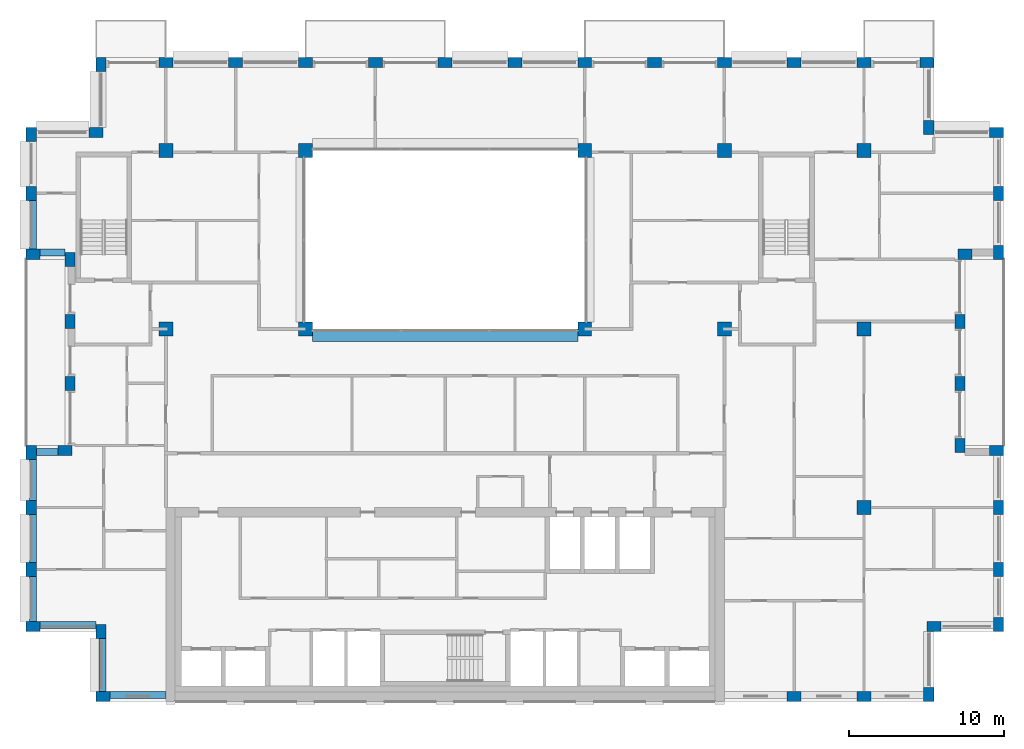
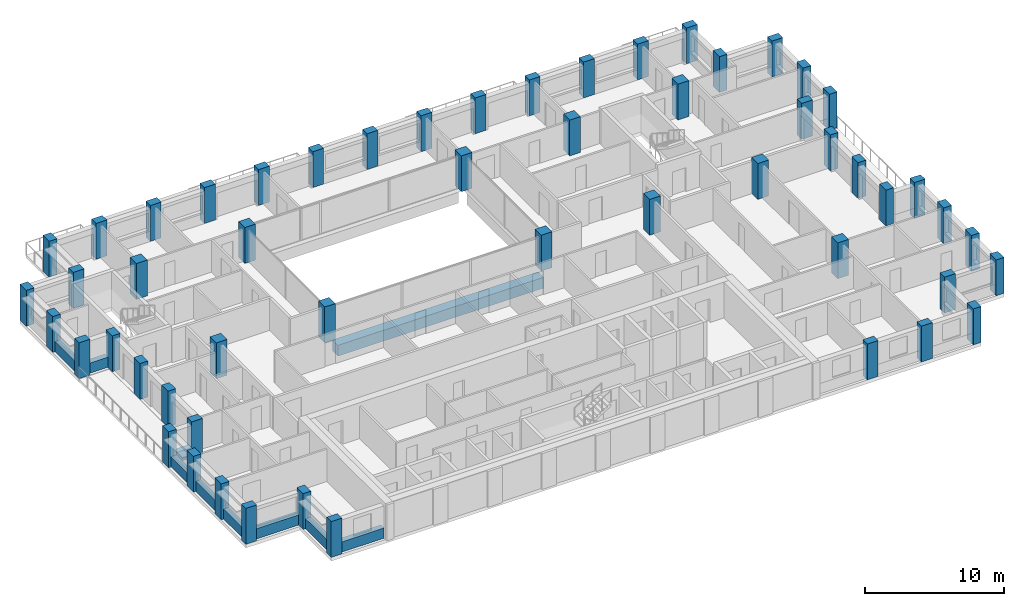
# One storey, part 1 of 15: 54 columns, 10 beams.
"""IFC4 building model written with IfcOpenShell, lengths in metres."""

from ifc_helpers import new_model, si_unit, direction, frame, origin, origin_2d, place, context, subcontext, project, spatial, rectangle, extrude, material, material_profile, profile_set, type_object, element, save


model = new_model("IFC4")

# Units and contexts
model_context = context("Model", 3, precision=1e-05, world=origin(), true_north=direction((0.0, 1.0)))
body_context = subcontext(model_context, "Body", "Model", "MODEL_VIEW")
ifc_project = project(units=[si_unit("LENGTHUNIT", "METRE"), si_unit("AREAUNIT", "SQUARE_METRE"), si_unit("VOLUMEUNIT", "CUBIC_METRE"), si_unit("PLANEANGLEUNIT", "RADIAN"), si_unit("MASSUNIT", "GRAM", prefix="KILO")], contexts=[model_context])

# Site, building, storey
site_placement = place(None, origin())
site = spatial("IfcSite", under=ifc_project, at=site_placement, CompositionType="ELEMENT")
building_placement = place(site_placement, origin())
building = spatial("IfcBuilding", under=site, at=building_placement, Name="Brigalow Station Residences", CompositionType="ELEMENT")
storey_placement = place(building_placement, frame((0.0, 0.0, 226.35009765625)))
storey = spatial("IfcBuildingStorey", under=building, at=storey_placement, Name="L65", CompositionType="ELEMENT", Elevation=226.35009765625)

# Columns
ifc_material_1 = material(Name="Concrete C50", Category="concrete")
ifc_material_profile_1 = material_profile(ifc_material_1, rectangle(XDim=0.89990234375, YDim=0.89990234375, at=origin_2d()), Name="RC900x900")
ifc_profile_set_1 = profile_set([ifc_material_profile_1], Name="Concrete C50")
column_type_1 = type_object("IfcColumnType", Name="COLUMN 900x900 C50", PredefinedType="COLUMN", material=ifc_profile_set_1)
for number, where, z_axis, x_axis, name in (
    (1, (18.0, 24.0, 0.0), (0.0, 0.0, 1.0), (1.0, 0.0, 0.0), "COLUMN C2 L65"),
    (2, (27.0, 24.0, 0.0), (0.0, 0.0, 1.0), (1.0, 0.0, 0.0), "COLUMN C3 L65"),
    (3, (45.0, 24.0, 0.0), (0.0, 0.0, 1.0), (1.0, 0.0, 0.0), "COLUMN C5 L65"),
    (4, (54.0, 24.0, 0.0), (0.0, 0.0, 1.0), (1.0, 0.0, 0.0), "COLUMN C6 L65"),
    (5, (63.0, 24.0, 0.0), (0.0, 0.0, 1.0), (1.0, 0.0, 0.0), "COLUMN C7 L65"),
    (6, (18.0, 35.5, 0.0), (0.0, 0.0, 1.0), (1.0, 0.0, 0.0), "COLUMN D2 L65"),
    (7, (27.0, 35.5, 0.0), (0.0, 0.0, 1.0), (1.0, 0.0, 0.0), "COLUMN D3 L65"),
    (8, (45.0, 35.5, 0.0), (0.0, 0.0, 1.0), (1.0, 0.0, 0.0), "COLUMN D5 L65"),
    (9, (54.0, 35.5, 0.0), (0.0, 0.0, 1.0), (1.0, 0.0, 0.0), "COLUMN D6 L65"),
    (10, (63.0, 35.5, 0.0), (0.0, 0.0, 1.0), (1.0, 0.0, 0.0), "COLUMN D7 L65"),
    (11, (63.0, 12.5, 0.0), (0.0, 0.0, 1.0), (1.0, 0.0, 0.0), "COLUMN B7 L65"),
):
    element("IfcColumn", number, at=place(storey_placement, frame(where, z_axis=z_axis, x_axis=x_axis)), inside=storey, type_object=column_type_1, Name=name, PredefinedType="COLUMN", context=body_context, shape_type="SweptSolid", body=[
        extrude(rectangle(XDim=0.89990234375, YDim=0.89990234375, at=origin_2d()), origin(), (0.0, 0.0, 1.0), 3.14990234375),
    ])
ifc_material_2 = material(Name="Concrete C50", Category="concrete")
ifc_material_profile_2 = material_profile(ifc_material_2, rectangle(XDim=0.89990234375, YDim=0.64990234375, at=origin_2d()), Name="RC900x650")
ifc_profile_set_2 = profile_set([ifc_material_profile_2], Name="Concrete C50")
column_type_2 = type_object("IfcColumnType", Name="PIER 900x650 C50", PredefinedType="USERDEFINED", material=ifc_profile_set_2)
for number, where, z_axis, x_axis, name in (
    (12, (13.949951171875, 0.324951171875, 0.0), (0.0, 0.0, 1.0), (1.0, 0.0, 0.0), "PIER S-1 L65"),
    (13, (58.5, 0.324951171875, 0.0), (0.0, 0.0, 1.0), (1.0, 0.0, 0.0), "PIER S-11 L65"),
    (14, (63.0, 0.324951171875, 0.0), (0.0, 0.0, 1.0), (1.0, 0.0, 0.0), "PIER S-12 L65"),
    (15, (67.175048828125, 0.449951171875, 0.0), (0.0, 0.0, 1.0), (0.0, 1.0, 0.0), "PIER SE1-1 L65"),
    (16, (67.5, 4.824951171875, 0.0), (0.0, 0.0, 1.0), (1.0, 0.0, 0.0), "PIER SE2-1 L65"),
    (17, (71.675048828125, 4.949951171875, 0.0), (0.0, 0.0, 1.0), (0.0, 1.0, 0.0), "PIER E1-1 L65"),
    (18, (71.675048828125, 8.5, 0.0), (0.0, 0.0, 1.0), (0.0, 1.0, 0.0), "PIER E1-2 L65"),
    (19, (71.675048828125, 12.5, 0.0), (0.0, 0.0, 1.0), (0.0, 1.0, 0.0), "PIER E1-3 L65"),
    (20, (71.550048828125, 16.175048828125, 0.0), (0.0, 0.0, 1.0), (-1.0, 0.0, 0.0), "PIER EL1-1 L65"),
    (21, (69.175048828125, 16.5, 0.0), (0.0, 0.0, 1.0), (0.0, 1.0, 0.0), "PIER EL2-1 L65"),
    (22, (69.175048828125, 20.5, 0.0), (0.0, 0.0, 1.0), (0.0, 1.0, 0.0), "PIER EL2-2 L65"),
    (23, (69.175048828125, 24.5, 0.0), (0.0, 0.0, 1.0), (0.0, 1.0, 0.0), "PIER EL2-3 L65"),
    (24, (69.5, 28.824951171875, 0.0), (0.0, 0.0, 1.0), (1.0, 0.0, 0.0), "PIER EL3-1 L65"),
    (25, (71.675048828125, 28.949951171875, 0.0), (0.0, 0.0, 1.0), (0.0, 1.0, 0.0), "PIER E2-1 L65"),
    (26, (71.675048828125, 32.75, 0.0), (0.0, 0.0, 1.0), (0.0, 1.0, 0.0), "PIER E2-2 L65"),
    (27, (71.550048828125, 36.675048828125, 0.0), (0.0, 0.0, 1.0), (-1.0, 0.0, 0.0), "PIER NE1-1 L65"),
    (28, (67.175048828125, 37.0, 0.0), (0.0, 0.0, 1.0), (0.0, 1.0, 0.0), "PIER NE2-1 L65"),
    (29, (67.050048828125, 41.175048828125, 0.0), (0.0, 0.0, 1.0), (-1.0, 0.0, 0.0), "PIER N-1 L65"),
    (30, (63.0, 41.175048828125, 0.0), (0.0, 0.0, 1.0), (-1.0, 0.0, 0.0), "PIER N-2 L65"),
    (31, (58.5, 41.175048828125, 0.0), (0.0, 0.0, 1.0), (-1.0, 0.0, 0.0), "PIER N-3 L65"),
    (32, (54.0, 41.175048828125, 0.0), (0.0, 0.0, 1.0), (-1.0, 0.0, 0.0), "PIER N-4 L65"),
    (33, (49.5, 41.175048828125, 0.0), (0.0, 0.0, 1.0), (-1.0, 0.0, 0.0), "PIER N-5 L65"),
    (34, (45.0, 41.175048828125, 0.0), (0.0, 0.0, 1.0), (-1.0, 0.0, 0.0), "PIER N-6 L65"),
    (35, (40.5, 41.175048828125, 0.0), (0.0, 0.0, 1.0), (-1.0, 0.0, 0.0), "PIER N-7 L65"),
    (36, (36.0, 41.175048828125, 0.0), (0.0, 0.0, 1.0), (-1.0, 0.0, 0.0), "PIER N-8 L65"),
    (37, (31.5, 41.175048828125, 0.0), (0.0, 0.0, 1.0), (-1.0, 0.0, 0.0), "PIER N-9 L65"),
    (38, (27.0, 41.175048828125, 0.0), (0.0, 0.0, 1.0), (-1.0, 0.0, 0.0), "PIER N-10 L65"),
    (39, (22.5, 41.175048828125, 0.0), (0.0, 0.0, 1.0), (-1.0, 0.0, 0.0), "PIER N-11 L65"),
    (40, (18.0, 41.175048828125, 0.0), (0.0, 0.0, 1.0), (-1.0, 0.0, 0.0), "PIER N-12 L65"),
    (41, (13.824951171875, 41.050048828125, 0.0), (0.0, 0.0, 1.0), (0.0, -1.0, 0.0), "PIER NW1-1 L65"),
    (42, (13.5, 36.675048828125, 0.0), (0.0, 0.0, 1.0), (-1.0, 0.0, 0.0), "PIER NW2-1 L65"),
    (43, (9.324951171875, 36.550048828125, 0.0), (0.0, 0.0, 1.0), (0.0, -1.0, 0.0), "PIER W2-1 L65"),
    (44, (9.324951171875, 32.75, 0.0), (0.0, 0.0, 1.0), (0.0, -1.0, 0.0), "PIER W2-2 L65"),
    (45, (9.449951171875, 28.824951171875, 0.0), (0.0, 0.0, 1.0), (1.0, 0.0, 0.0), "PIER WL1-1 L65"),
    (46, (11.824951171875, 28.5, 0.0), (0.0, 0.0, 1.0), (0.0, -1.0, 0.0), "PIER WL2-1 L65"),
    (47, (11.824951171875, 24.5, 0.0), (0.0, 0.0, 1.0), (0.0, -1.0, 0.0), "PIER WL2-2 L65"),
    (48, (11.824951171875, 20.5, 0.0), (0.0, 0.0, 1.0), (0.0, -1.0, 0.0), "PIER WL2-3 L65"),
    (49, (11.5, 16.175048828125, 0.0), (0.0, 0.0, 1.0), (-1.0, 0.0, 0.0), "PIER WL3-1 L65"),
    (50, (9.324951171875, 16.050048828125, 0.0), (0.0, 0.0, 1.0), (0.0, -1.0, 0.0), "PIER W1-1 L65"),
    (51, (9.324951171875, 12.5, 0.0), (0.0, 0.0, 1.0), (0.0, -1.0, 0.0), "PIER W1-2 L65"),
    (52, (9.324951171875, 8.5, 0.0), (0.0, 0.0, 1.0), (0.0, -1.0, 0.0), "PIER W1-3 L65"),
    (53, (9.449951171875, 4.824951171875, 0.0), (0.0, 0.0, 1.0), (1.0, 0.0, 0.0), "PIER SW1-1 L65"),
    (54, (13.824951171875, 4.5, 0.0), (0.0, 0.0, 1.0), (0.0, -1.0, 0.0), "PIER SW2-1 L65"),
):
    element("IfcColumn", number, at=place(storey_placement, frame(where, z_axis=z_axis, x_axis=x_axis)), inside=storey, type_object=column_type_2, Name=name, ObjectType="PIER", PredefinedType="USERDEFINED", context=body_context, shape_type="SweptSolid", body=[
        extrude(rectangle(XDim=0.89990234375, YDim=0.64990234375, at=origin_2d()), origin(), (0.0, 0.0, 1.0), 3.14990234375),
    ])

# Beams
ifc_material_3 = material(Name="Concrete C65", Category="concrete")
ifc_material_profile_3 = material_profile(ifc_material_3, rectangle(XDim=0.800048828125, YDim=0.949951171875, at=origin_2d()), Name="RC800x950")
ifc_profile_set_3 = profile_set([ifc_material_profile_3], Name="Concrete C65")
beam_type_1 = type_object("IfcBeamType", Name="ATRIUM EDGE GIRDER OVER 13.5 M SPAN 800x950 C65", PredefinedType="BEAM", material=ifc_profile_set_3)
beam_1_placement = place(storey_placement, frame((27.449951171875, 23.60009765625, -0.795166015625), z_axis=(1.0, 0.0, 0.0), x_axis=(0.0, 1.0, 0.0)))
element("IfcBeam", 55, at=beam_1_placement, inside=storey, type_object=beam_type_1, Name="ATRIUM EDGE GIRDER C L65", PredefinedType="BEAM", context=body_context, shape_type="SweptSolid", body=[
    extrude(rectangle(XDim=0.800048828125, YDim=0.949951171875, at=origin_2d()), origin(), (0.0, 0.0, 1.0), 17.10009765625),
])
ifc_material_4 = material(Name="Concrete C50", Category="concrete")
ifc_material_profile_4 = material_profile(ifc_material_4, rectangle(XDim=0.449951171875, YDim=0.89990234375, at=origin_2d()), Name="RC450x900")
ifc_profile_set_4 = profile_set([ifc_material_profile_4], Name="Concrete C50")
beam_type_2 = type_object("IfcBeamType", Name="SPANDREL BEAM 450x900 C50", PredefinedType="SPANDREL", material=ifc_profile_set_4)
beam_2_placement = place(storey_placement, frame((14.39990234375, 0.425048828125, 0.449951171875), z_axis=(1.0, 0.0, 0.0), x_axis=(0.0, 1.0, 0.0)))
element("IfcBeam", 56, at=beam_2_placement, inside=storey, type_object=beam_type_2, Name="L65/spandrel/W-L65-1", PredefinedType="SPANDREL", context=body_context, shape_type="SweptSolid", body=[
    extrude(rectangle(XDim=0.449951171875, YDim=0.89990234375, at=origin_2d()), origin(), (0.0, 0.0, 1.0), 3.60009765625),
])
beam_3_placement = place(storey_placement, frame((9.425048828125, 32.300048828125, 0.449951171875), z_axis=(0.0, -1.0, 0.0), x_axis=(1.0, 0.0, 0.0)))
element("IfcBeam", 57, at=beam_3_placement, inside=storey, type_object=beam_type_2, Name="L65/spandrel/W-L65-35", PredefinedType="SPANDREL", context=body_context, shape_type="SweptSolid", body=[
    extrude(rectangle(XDim=0.449951171875, YDim=0.89990234375, at=origin_2d()), origin(), (0.0, 0.0, 1.0), 3.150146484375),
])
beam_4_placement = place(storey_placement, frame((9.89990234375, 28.925048828125, 0.449951171875), z_axis=(1.0, 0.0, 0.0), x_axis=(0.0, 1.0, 0.0)))
element("IfcBeam", 58, at=beam_4_placement, inside=storey, type_object=beam_type_2, Name="L65/spandrel/W-L65-36", PredefinedType="SPANDREL", context=body_context, shape_type="SweptSolid", body=[
    extrude(rectangle(XDim=0.449951171875, YDim=0.89990234375, at=origin_2d()), origin(), (0.0, 0.0, 1.0), 1.60009765625),
])
beam_5_placement = place(storey_placement, frame((11.050048828125, 16.074951171875, 0.449951171875), z_axis=(-1.0, 0.0, 0.0), x_axis=(0.0, -1.0, 0.0)))
element("IfcBeam", 59, at=beam_5_placement, inside=storey, type_object=beam_type_2, Name="L65/spandrel/W-L65-40", PredefinedType="SPANDREL", context=body_context, shape_type="SweptSolid", body=[
    extrude(rectangle(XDim=0.449951171875, YDim=0.89990234375, at=origin_2d()), origin(), (0.0, 0.0, 1.0), 1.400146484375),
])
beam_6_placement = place(storey_placement, frame((9.425048828125, 15.60009765625, 0.449951171875), z_axis=(0.0, -1.0, 0.0), x_axis=(1.0, 0.0, 0.0)))
element("IfcBeam", 60, at=beam_6_placement, inside=storey, type_object=beam_type_2, Name="L65/spandrel/W-L65-41", PredefinedType="SPANDREL", context=body_context, shape_type="SweptSolid", body=[
    extrude(rectangle(XDim=0.449951171875, YDim=0.89990234375, at=origin_2d()), origin(), (0.0, 0.0, 1.0), 2.650146484375),
])
beam_7_placement = place(storey_placement, frame((9.425048828125, 12.050048828125, 0.449951171875), z_axis=(0.0, -1.0, 0.0), x_axis=(1.0, 0.0, 0.0)))
element("IfcBeam", 61, at=beam_7_placement, inside=storey, type_object=beam_type_2, Name="L65/spandrel/W-L65-42", PredefinedType="SPANDREL", context=body_context, shape_type="SweptSolid", body=[
    extrude(rectangle(XDim=0.449951171875, YDim=0.89990234375, at=origin_2d()), origin(), (0.0, 0.0, 1.0), 3.10009765625),
])
beam_8_placement = place(storey_placement, frame((9.425048828125, 8.050048828125, 0.449951171875), z_axis=(0.0, -1.0, 0.0), x_axis=(1.0, 0.0, 0.0)))
element("IfcBeam", 62, at=beam_8_placement, inside=storey, type_object=beam_type_2, Name="L65/spandrel/W-L65-43", PredefinedType="SPANDREL", context=body_context, shape_type="SweptSolid", body=[
    extrude(rectangle(XDim=0.449951171875, YDim=0.89990234375, at=origin_2d()), origin(), (0.0, 0.0, 1.0), 2.900146484375),
])
beam_9_placement = place(storey_placement, frame((9.89990234375, 4.925048828125, 0.449951171875), z_axis=(1.0, 0.0, 0.0), x_axis=(0.0, 1.0, 0.0)))
element("IfcBeam", 63, at=beam_9_placement, inside=storey, type_object=beam_type_2, Name="L65/spandrel/W-L65-44", PredefinedType="SPANDREL", context=body_context, shape_type="SweptSolid", body=[
    extrude(rectangle(XDim=0.449951171875, YDim=0.89990234375, at=origin_2d()), origin(), (0.0, 0.0, 1.0), 3.60009765625),
])
beam_10_placement = place(storey_placement, frame((13.925048828125, 4.050048828125, 0.449951171875), z_axis=(0.0, -1.0, 0.0), x_axis=(1.0, 0.0, 0.0)))
element("IfcBeam", 64, at=beam_10_placement, inside=storey, type_object=beam_type_2, Name="L65/spandrel/W-L65-45", PredefinedType="SPANDREL", context=body_context, shape_type="SweptSolid", body=[
    extrude(rectangle(XDim=0.449951171875, YDim=0.89990234375, at=origin_2d()), origin(), (0.0, 0.0, 1.0), 3.400146484375),
])

save(model, "model.ifc")
